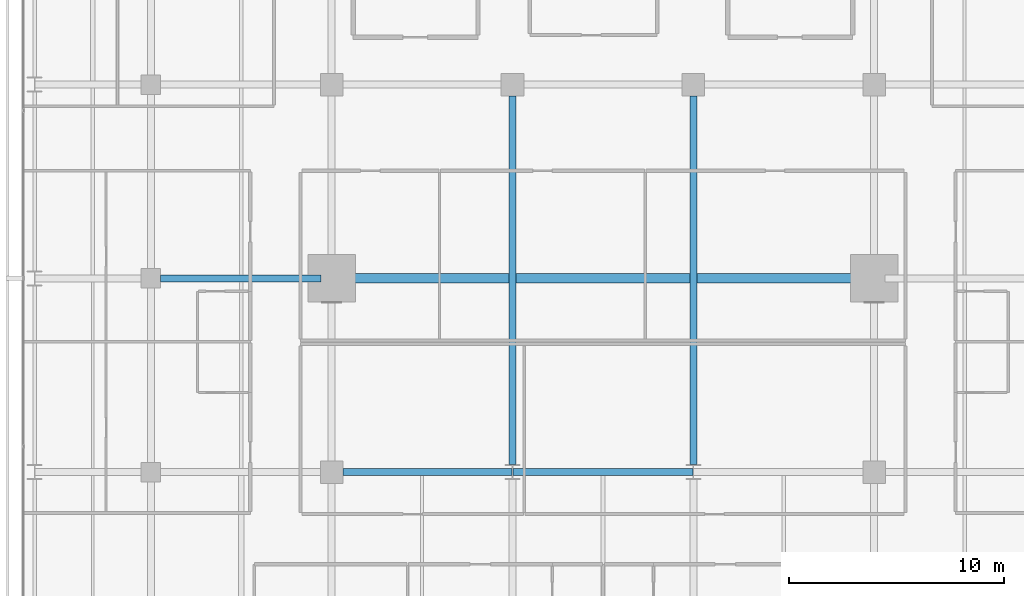
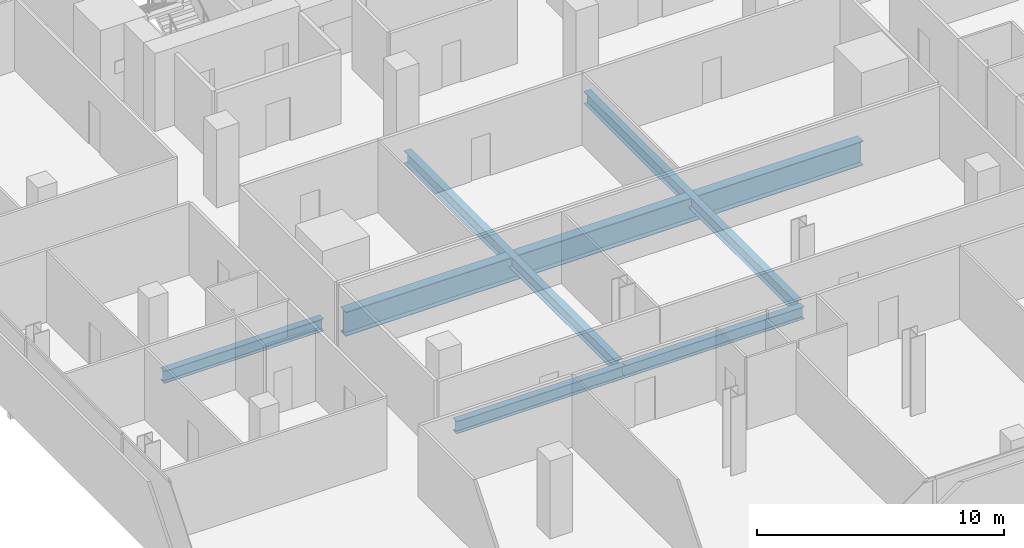
# One storey, part 13 of 39: 6 beams.
"""IFC4 building model written with IfcOpenShell, lengths in metres."""

from ifc_helpers import new_model, si_unit, direction, frame, origin, origin_2d, place, context, subcontext, project, spatial, i_section, extrude, material, material_profile, profile_set, type_object, element, save


model = new_model("IFC4")

# Units and contexts
model_context = context("Model", 3, precision=1e-05, world=origin(), true_north=direction((0.0, 1.0)))
body_context = subcontext(model_context, "Body", "Model", "MODEL_VIEW")
ifc_project = project(units=[si_unit("LENGTHUNIT", "METRE"), si_unit("AREAUNIT", "SQUARE_METRE"), si_unit("VOLUMEUNIT", "CUBIC_METRE"), si_unit("PLANEANGLEUNIT", "RADIAN"), si_unit("MASSUNIT", "GRAM", prefix="KILO")], contexts=[model_context])

# Site, building, storey
site_placement = place(None, origin())
site = spatial("IfcSite", under=ifc_project, at=site_placement, CompositionType="ELEMENT")
building_placement = place(site_placement, origin())
building = spatial("IfcBuilding", under=site, at=building_placement, Name="Maruvema Waterfront Hotel and Observation Tower", CompositionType="ELEMENT")
storey_placement = place(building_placement, frame((0.0, 0.0, 111.64990234375)))
storey = spatial("IfcBuildingStorey", under=building, at=storey_placement, Name="L27", CompositionType="ELEMENT", Elevation=111.64990234375)

# Beams
ifc_material_1 = material(Name="Steel ASTM A572 Grade 50", Category="steel")
ifc_material_profile_1 = material_profile(ifc_material_1, i_section(OverallWidth=0.323974609375, OverallDepth=0.611083984375, WebThickness=0.0126953125, FlangeThickness=0.01904296875, FilletRadius=0.01806640625, at=origin_2d()), Name="W610x155.0")
ifc_profile_set_1 = profile_set([ifc_material_profile_1], Name="Steel ASTM A572 Grade 50")
beam_type_1 = type_object("IfcBeamType", Name="Primary Floor Girder W610x155.0", PredefinedType="BEAM", material=ifc_profile_set_1)
beam_1_placement = place(storey_placement, frame((25.72509765625, 18.0, -0.54541015625), z_axis=(1.0, 0.0, 0.0), x_axis=(0.0, 1.0, 0.0)))
element("IfcBeam", 1, at=beam_1_placement, inside=storey, type_object=beam_type_1, Name="L27 Floor Girder EW-15", PredefinedType="BEAM", context=body_context, shape_type="SweptSolid", body=[
    extrude(i_section(OverallWidth=0.323974609375, OverallDepth=0.611083984375, WebThickness=0.0126953125, FlangeThickness=0.01904296875, FilletRadius=0.01806640625, at=origin_2d()), origin(), (0.0, 0.0, 1.0), 7.86083984375),
])
beam_2_placement = place(storey_placement, frame((33.614013671875, 18.0, -0.54541015625), z_axis=(1.0, 0.0, 0.0), x_axis=(0.0, 1.0, 0.0)))
element("IfcBeam", 2, at=beam_2_placement, inside=storey, type_object=beam_type_1, Name="L27 Floor Girder EW-16", PredefinedType="BEAM", context=body_context, shape_type="SweptSolid", body=[
    extrude(i_section(OverallWidth=0.323974609375, OverallDepth=0.611083984375, WebThickness=0.0126953125, FlangeThickness=0.01904296875, FilletRadius=0.01806640625, at=origin_2d()), origin(), (0.0, 0.0, 1.0), 8.3720703125),
])
beam_3_placement = place(storey_placement, frame((17.25, 27.0, -0.54541015625), z_axis=(1.0, 0.0, 0.0), x_axis=(0.0, 1.0, 0.0)))
element("IfcBeam", 3, at=beam_3_placement, inside=storey, type_object=beam_type_1, Name="L27 Floor Girder EW-21", PredefinedType="BEAM", context=body_context, shape_type="SweptSolid", body=[
    extrude(i_section(OverallWidth=0.323974609375, OverallDepth=0.611083984375, WebThickness=0.0126953125, FlangeThickness=0.01904296875, FilletRadius=0.01806640625, at=origin_2d()), origin(), (0.0, 0.0, 1.0), 7.449951171875),
])
for number, where, z_axis, x_axis, name in (
    (4, (33.60009765625, 18.35009765625, -0.54541015625), (0.0, 1.0, 0.0), (-1.0, 0.0, 0.0), "L27 Floor Girder NS-18"),
    (5, (42.0, 18.35009765625, -0.54541015625), (0.0, 1.0, 0.0), (-1.0, 0.0, 0.0), "L27 Floor Girder NS-21"),
):
    element("IfcBeam", number, at=place(storey_placement, frame(where, z_axis=z_axis, x_axis=x_axis)), inside=storey, type_object=beam_type_1, Name=name, PredefinedType="BEAM", context=body_context, shape_type="SweptSolid", body=[
        extrude(i_section(OverallWidth=0.323974609375, OverallDepth=0.611083984375, WebThickness=0.0126953125, FlangeThickness=0.01904296875, FilletRadius=0.01806640625, at=origin_2d()), origin(), (0.0, 0.0, 1.0), 17.125),
    ])
ifc_material_2 = material(Name="Steel ABNT NBR 7007 AR 415 (ASTM A572 Grade 50)", Category="steel")
ifc_material_profile_2 = material_profile(ifc_material_2, i_section(OverallWidth=0.449951171875, OverallDepth=1.199951171875, WebThickness=0.01904296875, FlangeThickness=0.031982421875, at=origin_2d()), Name="VS1200x366")
ifc_profile_set_2 = profile_set([ifc_material_profile_2], Name="Steel ABNT NBR 7007 AR 415 (ASTM A572 Grade 50)")
beam_type_2 = type_object("IfcBeamType", Name="Upper Setback Transfer Girder VS1200x366", PredefinedType="USERDEFINED", material=ifc_profile_set_2)
beam_4_placement = place(storey_placement, frame((25.699951171875, 27.0, -0.83984375), z_axis=(1.0, 0.0, 0.0), x_axis=(0.0, 1.0, 0.0)))
element("IfcBeam", 6, at=beam_4_placement, inside=storey, type_object=beam_type_2, Name="L27 Floor Girder EW-22", ObjectType="TRANSFER GIRDER", PredefinedType="USERDEFINED", context=body_context, shape_type="SweptSolid", body=[
    extrude(i_section(OverallWidth=0.449951171875, OverallDepth=1.199951171875, WebThickness=0.01904296875, FlangeThickness=0.031982421875, at=origin_2d()), origin(), (0.0, 0.0, 1.0), 24.199951171875),
])

save(model, "model.ifc")
